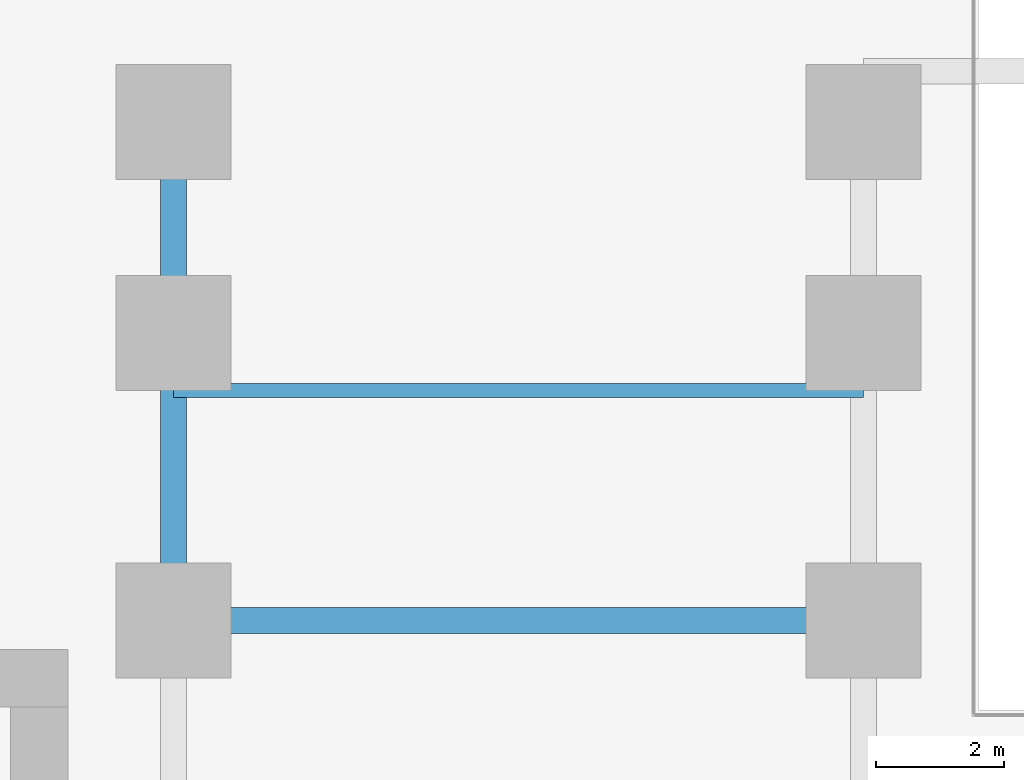
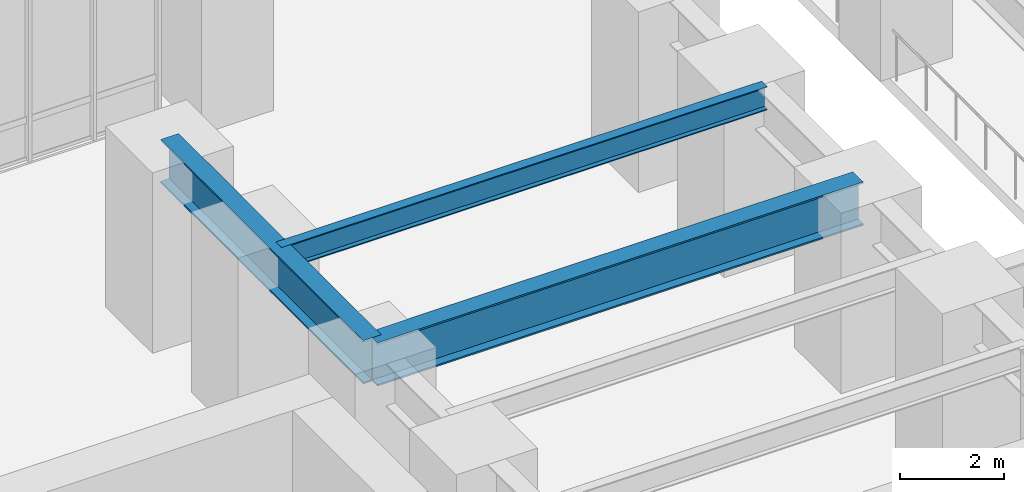
# One storey, part 8 of 18: 3 beams.
"""IFC4 building model written with IfcOpenShell, lengths in metres."""

import ifcopenshell
import ifcopenshell.guid

model = None  # the IFC model being written
_history = None  # IfcOwnerHistory: only IFC2X3 demands one
_inside = {}  # id of a spatial element -> (the spatial element, [elements in it])
_under = {}  # id of a project, library or spatial element -> (it, [spatial elements below it])
_declared = {}  # id of a project -> (the project, [libraries it declares])
_typed = {}  # id of a type object -> (the type object, [elements of that type])
_made_of = {}  # id of a material, layer set ... -> (it, [elements and type objects made of it])


def new_model(schema):
    """Start an empty IFC model of exactly this schema.

    Asked for "IFC4X3", IfcOpenShell would pick the latest addendum, in which some entities
    have other attributes; the version numbers below select the first issue.
    IFC2X3 requires an IfcOwnerHistory on every rooted entity: one is made here for all.
    """
    global model, _history
    if schema == "IFC4X3":
        model = ifcopenshell.file(schema_version=(4, 3, 0, 0))
    else:
        model = ifcopenshell.file(schema=schema)
    _inside.clear()
    _under.clear()
    _declared.clear()
    _typed.clear()
    _made_of.clear()
    _history = None
    if model.schema == "IFC2X3":
        org = make("IfcOrganization", Name="unknown")
        user = make(
            "IfcPersonAndOrganization",
            ThePerson=make("IfcPerson", FamilyName="unknown"),
            TheOrganization=org,
        )
        app = make(
            "IfcApplication",
            ApplicationDeveloper=org,
            Version="unknown",
            ApplicationFullName="unknown",
            ApplicationIdentifier="unknown",
        )
        _history = make(
            "IfcOwnerHistory",
            OwningUser=user,
            OwningApplication=app,
            ChangeAction="ADDED",
            CreationDate=0,
        )
    return model


def make(cls, **values):
    """One entity of the class cls with the attributes given. An attribute that is None is left unset."""
    return model.create_entity(
        cls, **{name: value for name, value in values.items() if value is not None}
    )


def rooted(cls, **values):
    """An entity with a GlobalId (a new one), such as an element, a storey or a relation."""
    return make(cls, GlobalId=ifcopenshell.guid.new(), OwnerHistory=_history, **values)


def si_unit(unit_type, name, prefix=None):
    """IfcSIUnit, for example si_unit("LENGTHUNIT", "METRE", prefix="MILLI")."""
    return make("IfcSIUnit", UnitType=unit_type, Prefix=prefix, Name=name)


def assignment(units):
    """IfcUnitAssignment: the units of a project."""
    return None if units is None else make("IfcUnitAssignment", Units=units)


def point(xyz):
    """IfcCartesianPoint."""
    return None if xyz is None else make("IfcCartesianPoint", Coordinates=xyz)


def direction(xyz):
    """IfcDirection."""
    return None if xyz is None else make("IfcDirection", DirectionRatios=xyz)


def frame(location, z_axis=None, x_axis=None):
    """IfcAxis2Placement3D, a coordinate frame: its origin and axes. An axis left out is left unset."""
    return make(
        "IfcAxis2Placement3D",
        Location=point(location),
        Axis=direction(z_axis),
        RefDirection=direction(x_axis),
    )


def frame_2d(location, x_axis=None):
    """IfcAxis2Placement2D, a coordinate frame in the plane: its origin and x axis."""
    return make(
        "IfcAxis2Placement2D", Location=point(location), RefDirection=direction(x_axis)
    )


def origin():
    """The frame at (0, 0, 0) with its axes left unset."""
    return frame((0.0, 0.0, 0.0))


def origin_2d():
    """The frame at (0, 0) in the plane with its x axis left unset."""
    return frame_2d((0.0, 0.0))


def place(relative_to, where):
    """IfcLocalPlacement: puts the frame where relative to a parent placement (None: the world)."""
    return make(
        "IfcLocalPlacement", PlacementRelTo=relative_to, RelativePlacement=where
    )


def context(
    kind, dimensions, precision=None, world=None, true_north=None, identifier=None
):
    """IfcGeometricRepresentationContext, for example the 3D "Model" context."""
    return make(
        "IfcGeometricRepresentationContext",
        ContextIdentifier=identifier,
        ContextType=kind,
        CoordinateSpaceDimension=dimensions,
        Precision=precision,
        WorldCoordinateSystem=world,
        TrueNorth=true_north,
    )


def subcontext(parent, identifier, kind, view, scale=None):
    """IfcGeometricRepresentationSubContext, for example "Body" below "Model"."""
    return make(
        "IfcGeometricRepresentationSubContext",
        ContextIdentifier=identifier,
        ContextType=kind,
        ParentContext=parent,
        TargetScale=scale,
        TargetView=view,
    )


def project(units=None, contexts=None):
    """IfcProject with its units and contexts."""
    return rooted(
        "IfcProject",
        Name="project",
        RepresentationContexts=contexts,
        UnitsInContext=assignment(units),
    )


def spatial(cls, under=None, at=None, **own):
    """A site, building, storey or space (cls), placed at a placement, below another one or the project."""
    s = rooted(cls, ObjectPlacement=at, **own)
    if under is not None:
        _under.setdefault(under.id(), (under, []))[1].append(s)
    return s


def profile(cls, at=None, kind="AREA", **sizes):
    """A parametric profile (cls). Its sizes go by their IFC names, for example OverallWidth=200.0."""
    return make(cls, ProfileType=kind, Position=at, **sizes)


def i_section(**sizes):
    """IfcIShapeProfileDef."""
    return profile("IfcIShapeProfileDef", **sizes)


def extrude(swept, where, along, depth):
    """IfcExtrudedAreaSolid: the profile swept, set in the frame where, extruded along a direction by depth."""
    return make(
        "IfcExtrudedAreaSolid",
        SweptArea=swept,
        Position=where,
        ExtrudedDirection=direction(along),
        Depth=depth,
    )


def shape(context_of_items, identifier, shape_type, items):
    """IfcShapeRepresentation: the items that make up one representation, for example the "Body"."""
    return make(
        "IfcShapeRepresentation",
        ContextOfItems=context_of_items,
        RepresentationIdentifier=identifier,
        RepresentationType=shape_type,
        Items=items,
    )


def source(mapping_origin, context_of_items, identifier, shape_type, items):
    """IfcRepresentationMap: a shape defined once, which mapped items show again and again."""
    return make(
        "IfcRepresentationMap",
        MappingOrigin=mapping_origin,
        MappedRepresentation=shape(context_of_items, identifier, shape_type, items),
    )


def transform(
    local_origin,
    x_axis=None,
    y_axis=None,
    z_axis=None,
    scale=None,
    scale2=None,
    scale3=None,
    uniform=True,
):
    """IfcCartesianTransformationOperator3D, or its non-uniform kind. x_axis, y_axis, z_axis: its Axis1, 2, 3."""
    if uniform:
        return make(
            "IfcCartesianTransformationOperator3D",
            Axis1=direction(x_axis),
            Axis2=direction(y_axis),
            LocalOrigin=point(local_origin),
            Scale=scale,
            Axis3=direction(z_axis),
        )
    return make(
        "IfcCartesianTransformationOperator3DnonUniform",
        Axis1=direction(x_axis),
        Axis2=direction(y_axis),
        LocalOrigin=point(local_origin),
        Scale=scale,
        Axis3=direction(z_axis),
        Scale2=scale2,
        Scale3=scale3,
    )


def mapped(mapping_source, mapping_target):
    """IfcMappedItem: shows the shape of a source again, moved by a transform."""
    return make(
        "IfcMappedItem", MappingSource=mapping_source, MappingTarget=mapping_target
    )


def material(Name=None, Category=None):
    """IfcMaterial."""
    return make("IfcMaterial", Name=Name, Category=Category)


def material_profile(
    of_material, cross_section, Name=None, Category=None, Priority=None
):
    """IfcMaterialProfile: a cross section and its material."""
    return make(
        "IfcMaterialProfile",
        Name=Name,
        Material=of_material,
        Profile=cross_section,
        Priority=Priority,
        Category=Category,
    )


def profile_set(profiles, Name=None, composite=None):
    """IfcMaterialProfileSet."""
    return make(
        "IfcMaterialProfileSet",
        Name=Name,
        MaterialProfiles=profiles,
        CompositeProfile=composite,
    )


def made_of(thing, what):
    """Note that an element or type object is made of a material, layer set ...; save() writes the relation."""
    if what is not None:
        _made_of.setdefault(what.id(), (what, []))[1].append(thing)
    return thing


def type_object(cls, material=None, **own):
    """A type object (cls), such as IfcWallType, which elements share."""
    return made_of(rooted(cls, **own), material)


def element(
    cls,
    number,
    at=None,
    inside=None,
    cuts=None,
    type_object=None,
    material=None,
    context=None,
    identifier="Body",
    shape_type=None,
    held_by="IfcProductDefinitionShape",
    body=None,
    shapes=None,
    **own,
):
    """One element of the class cls, such as IfcWall. Its Tag is "e" and its number.

    at: its placement. inside: the storey or other place that contains it. cuts: it is an
    opening in that element (IfcRelVoidsElement). A single representation is given by context,
    identifier, shape_type and body (its items); several are given by shapes. held_by: the class
    of the entity that holds the representations. save() writes the other relations.
    """
    e = rooted(cls, Tag="e%d" % number, ObjectPlacement=at, **own)
    if body is not None:
        shapes = [shape(context, identifier, shape_type, body)]
    if shapes is not None:
        e.Representation = make(held_by, Representations=shapes)
    if inside is not None:
        _inside.setdefault(inside.id(), (inside, []))[1].append(e)
    if cuts is not None:
        rooted(
            "IfcRelVoidsElement", RelatingBuildingElement=cuts, RelatedOpeningElement=e
        )
    if type_object is not None:
        _typed.setdefault(type_object.id(), (type_object, []))[1].append(e)
    return made_of(e, material)


def aggregate(whole, parts):
    """IfcRelAggregates: a whole, such as a stair, and the parts it consists of."""
    return rooted("IfcRelAggregates", RelatingObject=whole, RelatedObjects=parts)


def save(model, path):
    """Write the relations noted so far, then the file.

    IfcRelAggregates (storeys below a building ...), IfcRelContainedInSpatialStructure (elements
    in a storey), IfcRelDefinesByType, IfcRelAssociatesMaterial and IfcRelDeclares: one each for
    every whole, place, type object, material and project.
    """
    for whole, parts in _under.values():
        aggregate(whole, parts)
    for where, things in _inside.values():
        rooted(
            "IfcRelContainedInSpatialStructure",
            RelatedElements=things,
            RelatingStructure=where,
        )
    for kind, things in _typed.values():
        rooted("IfcRelDefinesByType", RelatedObjects=things, RelatingType=kind)
    for what, things in _made_of.values():
        rooted("IfcRelAssociatesMaterial", RelatedObjects=things, RelatingMaterial=what)
    for by, libraries in _declared.values():
        rooted("IfcRelDeclares", RelatingContext=by, RelatedDefinitions=libraries)
    model.write(path)


model = new_model("IFC4")

# Units and contexts
model_context = context("Model", 3, precision=1e-05, world=origin(), true_north=direction((0.0, 1.0)))
body_context = subcontext(model_context, "Body", "Model", "MODEL_VIEW")
ifc_project = project(units=[si_unit("LENGTHUNIT", "METRE"), si_unit("AREAUNIT", "SQUARE_METRE"), si_unit("VOLUMEUNIT", "CUBIC_METRE"), si_unit("PLANEANGLEUNIT", "RADIAN"), si_unit("MASSUNIT", "GRAM", prefix="KILO")], contexts=[model_context])

# Site, building, storey
site_placement = place(None, origin())
site = spatial("IfcSite", under=ifc_project, at=site_placement, CompositionType="ELEMENT")
building_placement = place(site_placement, origin())
building = spatial("IfcBuilding", under=site, at=building_placement, Name="Kharzan Plaza Tower", CompositionType="ELEMENT")
storey_placement = place(building_placement, frame((0.0, 0.0, -4.5)))
storey = spatial("IfcBuildingStorey", under=building, at=storey_placement, Name="B01", CompositionType="ELEMENT", Elevation=-4.5)

# Beams
ifc_material = material(Name="Steel S355", Category="steel")
ifc_material_profile_1 = material_profile(ifc_material, i_section(OverallWidth=0.402099609375, OverallDepth=1.02099609375, WebThickness=0.02099609375, FlangeThickness=0.037109375, at=origin_2d()), Name="W1000x412")
ifc_profile_set_1 = profile_set([ifc_material_profile_1], Name="Steel S355")
beam_type_1 = type_object("IfcBeamType", Name="BM-PG1000A", PredefinedType="BEAM", material=ifc_profile_set_1)
shared_shape_1 = source(origin(), body_context, "Body", "SweptSolid", [
    extrude(i_section(OverallWidth=0.402099609375, OverallDepth=1.02099609375, WebThickness=0.02099609375, FlangeThickness=0.037109375, at=origin_2d()), origin(), (0.0, 0.0, 1.0), 7.800048828125),
])
beam_1_placement = place(storey_placement, frame((47.60009765625, 17.39990234375, 3.7294921875), z_axis=(0.0, 1.0, 0.0), x_axis=(-1.0, 0.0, 0.0)))
element("IfcBeam", 1, at=beam_1_placement, inside=storey, type_object=beam_type_1, Name="B01 Podium Primary Girder PG-24", PredefinedType="BEAM", context=body_context, shape_type="MappedRepresentation", body=[
    mapped(shared_shape_1, transform((0.0, 0.0, 0.0), x_axis=(1.0, 0.0, 0.0), y_axis=(0.0, 1.0, 0.0), z_axis=(0.0, 0.0, 1.0))),
])
shared_shape_2 = source(origin(), body_context, "Body", "SweptSolid", [
    extrude(i_section(OverallWidth=0.402099609375, OverallDepth=1.02099609375, WebThickness=0.02099609375, FlangeThickness=0.037109375, at=origin_2d()), origin(), (0.0, 0.0, 1.0), 10.7998046875),
])
beam_2_placement = place(storey_placement, frame((47.60009765625, 17.39990234375, 3.7294921875), z_axis=(1.0, 0.0, 0.0), x_axis=(0.0, 1.0, 0.0)))
element("IfcBeam", 2, at=beam_2_placement, inside=storey, type_object=beam_type_1, Name="B01 Podium Primary Girder PG-29", PredefinedType="BEAM", context=body_context, shape_type="MappedRepresentation", body=[
    mapped(shared_shape_2, transform((0.0, 0.0, 0.0), x_axis=(1.0, 0.0, 0.0), y_axis=(0.0, 1.0, 0.0), z_axis=(0.0, 0.0, 1.0))),
])
ifc_material_profile_2 = material_profile(ifc_material, i_section(OverallWidth=0.214111328125, OverallDepth=0.549072265625, WebThickness=0.0146484375, FlangeThickness=0.023681640625, at=origin_2d()), Name="W530x138")
ifc_profile_set_2 = profile_set([ifc_material_profile_2], Name="Steel S355")
beam_type_2 = type_object("IfcBeamType", Name="BM-JST530A", PredefinedType="JOIST", material=ifc_profile_set_2)
shared_shape_3 = source(origin(), body_context, "Body", "SweptSolid", [
    extrude(i_section(OverallWidth=0.214111328125, OverallDepth=0.549072265625, WebThickness=0.0146484375, FlangeThickness=0.023681640625, at=origin_2d()), origin(), (0.0, 0.0, 1.0), 10.7998046875),
])
beam_3_placement = place(storey_placement, frame((47.60009765625, 21.0, 3.965576171875), z_axis=(1.0, 0.0, 0.0), x_axis=(0.0, 1.0, 0.0)))
element("IfcBeam", 3, at=beam_3_placement, inside=storey, type_object=beam_type_2, Name="B01 East Podium Joist PJ-B4", PredefinedType="JOIST", context=body_context, shape_type="MappedRepresentation", body=[
    mapped(shared_shape_3, transform((0.0, 0.0, 0.0), x_axis=(1.0, 0.0, 0.0), y_axis=(0.0, 1.0, 0.0), z_axis=(0.0, 0.0, 1.0))),
])

save(model, "model.ifc")
